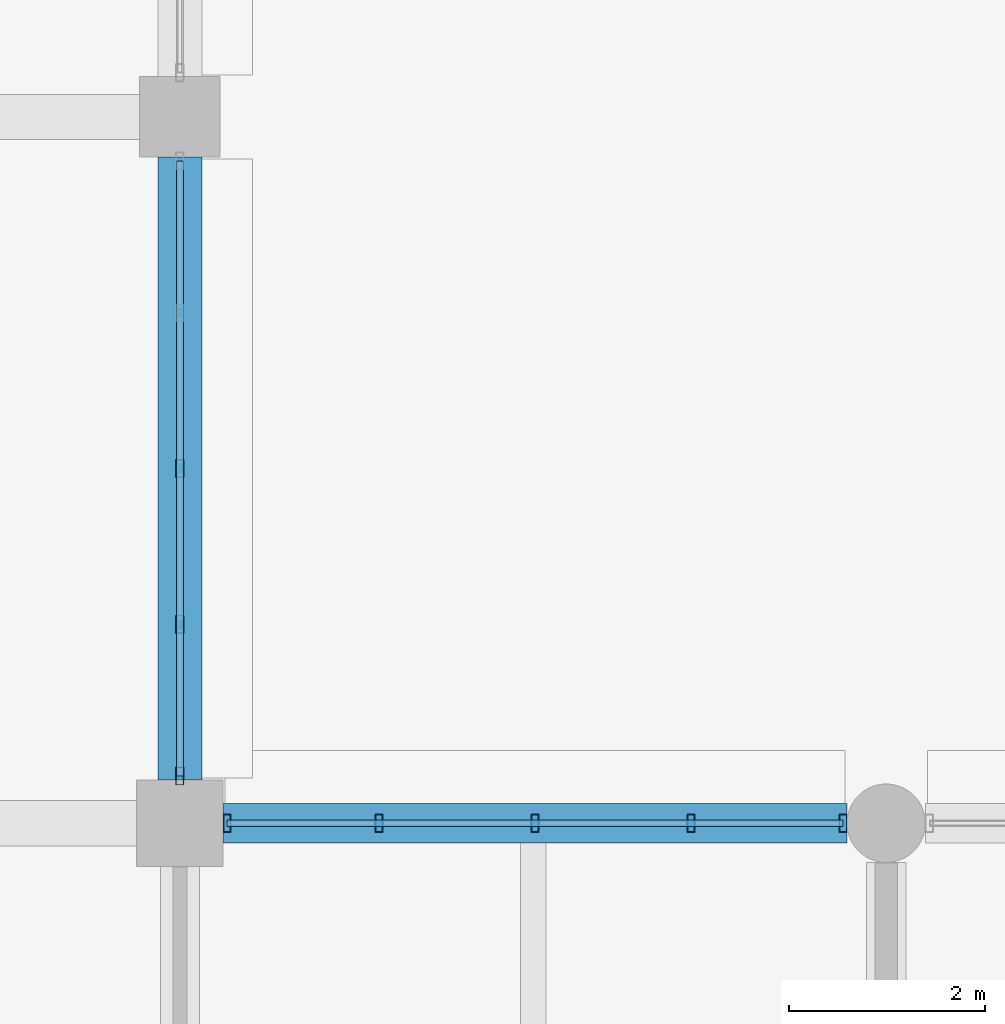
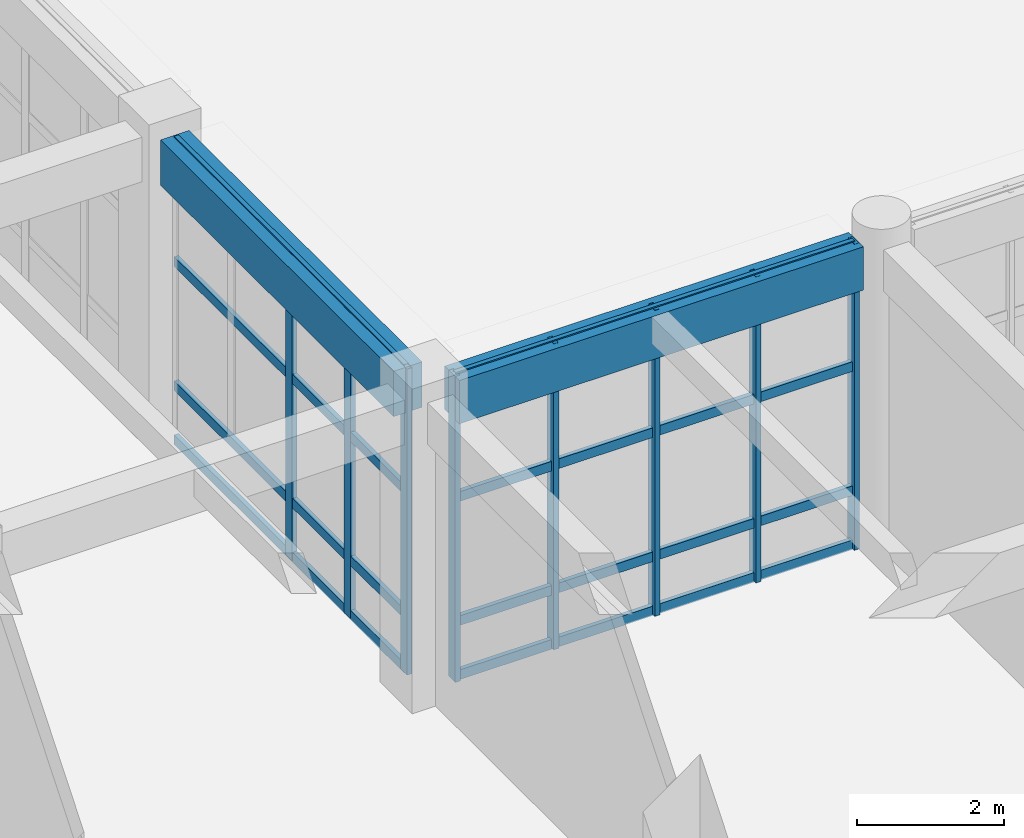
# One storey, part 46 of 160: 16 members, 2 beams, 2 elements without a shape of their own.
"""IFC4 building model written with IfcOpenShell, lengths in metres."""

from ifc_helpers import new_model, si_unit, direction, frame, origin, origin_2d, place, context, subcontext, project, spatial, rectangle, hollow_rectangle, extrude, material, material_profile, profile_set, type_object, element, aggregate, save


model = new_model("IFC4")

# Units and contexts
model_context = context("Model", 3, precision=1e-05, world=origin(), true_north=direction((0.0, 1.0)))
body_context = subcontext(model_context, "Body", "Model", "MODEL_VIEW")
ifc_project = project(units=[si_unit("LENGTHUNIT", "METRE"), si_unit("AREAUNIT", "SQUARE_METRE"), si_unit("VOLUMEUNIT", "CUBIC_METRE"), si_unit("PLANEANGLEUNIT", "RADIAN"), si_unit("MASSUNIT", "GRAM", prefix="KILO")], contexts=[model_context])

# Site, building, storey
site_placement = place(None, origin())
site = spatial("IfcSite", under=ifc_project, at=site_placement, CompositionType="ELEMENT")
building_placement = place(site_placement, origin())
building = spatial("IfcBuilding", under=site, at=building_placement, Name="Thalmaran Polytechnic", CompositionType="ELEMENT")
storey_placement = place(building_placement, origin())
storey = spatial("IfcBuildingStorey", under=building, at=storey_placement, Name="L00", CompositionType="ELEMENT", Elevation=0.0)

# Beams
ifc_material_1 = material(Name="Concrete C40/50", Category="concrete")
ifc_material_profile_1 = material_profile(ifc_material_1, rectangle(XDim=0.39990234375, YDim=0.719970703125, at=origin_2d()), Name="RC 400x720")
ifc_profile_set_1 = profile_set([ifc_material_profile_1], Name="Concrete C40/50")
beam_type_1 = type_object("IfcBeamType", Name="BM-SP01", PredefinedType="SPANDREL", material=ifc_profile_set_1)
beam_1_placement = place(storey_placement, frame((22.0400390625, 72.0, 4.72998046875), z_axis=(1.0, 0.0, 0.0), x_axis=(0.0, 1.0, 0.0)))
element("IfcBeam", 1, at=beam_1_placement, inside=storey, type_object=beam_type_1, Name="Grid Beam SP01 L00 X(3,10)", PredefinedType="SPANDREL", context=body_context, shape_type="SweptSolid", body=[
    extrude(rectangle(XDim=0.39990234375, YDim=0.719970703125, at=origin_2d()), origin(), (0.0, 0.0, 1.0), 6.35986328125),
])
ifc_material_profile_2 = material_profile(ifc_material_1, rectangle(XDim=0.449951171875, YDim=0.7548828125, at=origin_2d()), Name="RC 450x755")
ifc_profile_set_2 = profile_set([ifc_material_profile_2], Name="Concrete C40/50")
beam_type_2 = type_object("IfcBeamType", Name="BM-SP02", PredefinedType="SPANDREL", material=ifc_profile_set_2)
beam_2_placement = place(storey_placement, frame((21.60009765625, 72.43994140625, 4.71240234375), z_axis=(0.0, 1.0, 0.0), x_axis=(-1.0, 0.0, 0.0)))
element("IfcBeam", 2, at=beam_2_placement, inside=storey, type_object=beam_type_2, Name="Grid Beam SP02 L00 Y(3,10)", PredefinedType="SPANDREL", context=body_context, shape_type="SweptSolid", body=[
    extrude(rectangle(XDim=0.449951171875, YDim=0.7548828125, at=origin_2d()), origin(), (0.0, 0.0, 1.0), 6.35009765625),
])

# Curtain wall, members
ifc_material_2 = material(Name="Aluminium 6063-T6", Category="aluminium")
curtain_wall_type = type_object("IfcCurtainWallType", Name="CW-UC01", PredefinedType="USERDEFINED", material=ifc_material_2)
curtain_wall_1_placement = place(storey_placement, origin())
curtain_wall_1 = element("IfcCurtainWall", 3, at=curtain_wall_1_placement, inside=storey, type_object=curtain_wall_type, Name="Curtain Wall CW-L00-025", ObjectType="UNITISED CURTAIN WALL", PredefinedType="USERDEFINED")
ifc_material_profile_3 = material_profile(ifc_material_2, hollow_rectangle(XDim=0.080078125, YDim=0.179931640625, WallThickness=0.0048828125, at=origin_2d()), Name="RHS 180x80x5.0")
ifc_profile_set_3 = profile_set([ifc_material_profile_3], Name="Aluminium 6063-T6")
member_type_1 = type_object("IfcMemberType", Name="CW-MUL1", PredefinedType="MULLION", material=ifc_profile_set_3)
member_1_placement = place(storey_placement, frame((21.60009765625, 75.614990234375, 0.0), z_axis=(0.0, 0.0, 1.0), x_axis=(1.0, 0.0, 0.0)))
member_1 = element("IfcMember", 4, at=member_1_placement, type_object=member_type_1, Name="CW-L00-025 Mullion 3", PredefinedType="MULLION", context=body_context, shape_type="SweptSolid", body=[
    extrude(hollow_rectangle(XDim=0.080078125, YDim=0.179931640625, WallThickness=0.0048828125, at=origin_2d()), origin(), (0.0, 0.0, 1.0), 5.090087890625),
])
member_2_placement = place(storey_placement, frame((21.60009765625, 74.027587890625, 0.0), z_axis=(0.0, 0.0, 1.0), x_axis=(1.0, 0.0, 0.0)))
member_2 = element("IfcMember", 5, at=member_2_placement, type_object=member_type_1, Name="CW-L00-025 Mullion 4", PredefinedType="MULLION", context=body_context, shape_type="SweptSolid", body=[
    extrude(hollow_rectangle(XDim=0.080078125, YDim=0.179931640625, WallThickness=0.0048828125, at=origin_2d()), origin(), (0.0, 0.0, 1.0), 5.090087890625),
])
member_3_placement = place(storey_placement, frame((21.60009765625, 72.47998046875, 0.0), z_axis=(0.0, 0.0, 1.0), x_axis=(1.0, 0.0, 0.0)))
member_3 = element("IfcMember", 6, at=member_3_placement, type_object=member_type_1, Name="CW-L00-025 Mullion 5", PredefinedType="MULLION", context=body_context, shape_type="SweptSolid", body=[
    extrude(hollow_rectangle(XDim=0.080078125, YDim=0.179931640625, WallThickness=0.0048828125, at=origin_2d()), origin(), (0.0, 0.0, 1.0), 5.090087890625),
])

curtain_wall_2_placement = place(storey_placement, origin())
curtain_wall_2 = element("IfcCurtainWall", 7, at=curtain_wall_2_placement, inside=storey, type_object=curtain_wall_type, Name="Curtain Wall CW-L00-026", ObjectType="UNITISED CURTAIN WALL", PredefinedType="USERDEFINED")
member_4_placement = place(storey_placement, frame((22.080078125, 72.0, 0.0), z_axis=(0.0, 0.0, 1.0), x_axis=(1.0, 0.0, 0.0)))
member_4 = element("IfcMember", 8, at=member_4_placement, type_object=member_type_1, Name="CW-L00-026 Mullion 1", PredefinedType="MULLION", context=body_context, shape_type="SweptSolid", body=[
    extrude(hollow_rectangle(XDim=0.080078125, YDim=0.179931640625, WallThickness=0.0048828125, at=origin_2d()), origin(), (0.0, 0.0, 1.0), 5.090087890625),
])
member_5_placement = place(storey_placement, frame((23.6298828125, 72.0, 0.0), z_axis=(0.0, 0.0, 1.0), x_axis=(1.0, 0.0, 0.0)))
member_5 = element("IfcMember", 9, at=member_5_placement, type_object=member_type_1, Name="CW-L00-026 Mullion 2", PredefinedType="MULLION", context=body_context, shape_type="SweptSolid", body=[
    extrude(hollow_rectangle(XDim=0.080078125, YDim=0.179931640625, WallThickness=0.0048828125, at=origin_2d()), origin(), (0.0, 0.0, 1.0), 5.090087890625),
])
member_6_placement = place(storey_placement, frame((25.219970703125, 72.0, 0.0), z_axis=(0.0, 0.0, 1.0), x_axis=(1.0, 0.0, 0.0)))
member_6 = element("IfcMember", 10, at=member_6_placement, type_object=member_type_1, Name="CW-L00-026 Mullion 3", PredefinedType="MULLION", context=body_context, shape_type="SweptSolid", body=[
    extrude(hollow_rectangle(XDim=0.080078125, YDim=0.179931640625, WallThickness=0.0048828125, at=origin_2d()), origin(), (0.0, 0.0, 1.0), 5.090087890625),
])
member_7_placement = place(storey_placement, frame((26.81005859375, 72.0, 0.0), z_axis=(0.0, 0.0, 1.0), x_axis=(1.0, 0.0, 0.0)))
member_7 = element("IfcMember", 11, at=member_7_placement, type_object=member_type_1, Name="CW-L00-026 Mullion 4", PredefinedType="MULLION", context=body_context, shape_type="SweptSolid", body=[
    extrude(hollow_rectangle(XDim=0.080078125, YDim=0.179931640625, WallThickness=0.0048828125, at=origin_2d()), origin(), (0.0, 0.0, 1.0), 5.090087890625),
])
member_8_placement = place(storey_placement, frame((28.360107421875, 72.0, 0.0), z_axis=(0.0, 0.0, 1.0), x_axis=(1.0, 0.0, 0.0)))
member_8 = element("IfcMember", 12, at=member_8_placement, type_object=member_type_1, Name="CW-L00-026 Mullion 5", PredefinedType="MULLION", context=body_context, shape_type="SweptSolid", body=[
    extrude(hollow_rectangle(XDim=0.080078125, YDim=0.179931640625, WallThickness=0.0048828125, at=origin_2d()), origin(), (0.0, 0.0, 1.0), 5.090087890625),
])

# Member
ifc_material_profile_4 = material_profile(ifc_material_2, hollow_rectangle(XDim=0.070068359375, YDim=0.159912109375, WallThickness=0.00390625, at=origin_2d()), Name="AL 160x70x4.0")
ifc_profile_set_4 = profile_set([ifc_material_profile_4], Name="Aluminium 6063-T6")
member_type_2 = type_object("IfcMemberType", Name="CW-TRN1", PredefinedType="USERDEFINED", material=ifc_profile_set_4)
member_9_placement = place(storey_placement, frame((21.60009765625, 78.75, 0.06005859375), z_axis=(0.0, -1.0, 0.0), x_axis=(1.0, 0.0, 0.0)))
member_9 = element("IfcMember", 13, at=member_9_placement, type_object=member_type_2, Name="CW-L00-025 Transom 1", ObjectType="TRANSOM", PredefinedType="USERDEFINED", context=body_context, shape_type="SweptSolid", body=[
    extrude(hollow_rectangle(XDim=0.070068359375, YDim=0.159912109375, WallThickness=0.00390625, at=origin_2d()), origin(), (0.0, 0.0, 1.0), 6.27001953125),
])

member_10_placement = place(storey_placement, frame((21.60009765625, 78.75, 0.9599609375), z_axis=(0.0, -1.0, 0.0), x_axis=(1.0, 0.0, 0.0)))
member_10 = element("IfcMember", 14, at=member_10_placement, type_object=member_type_2, Name="CW-L00-025 Transom 2", ObjectType="TRANSOM", PredefinedType="USERDEFINED", context=body_context, shape_type="SweptSolid", body=[
    extrude(hollow_rectangle(XDim=0.070068359375, YDim=0.159912109375, WallThickness=0.00390625, at=origin_2d()), origin(), (0.0, 0.0, 1.0), 6.27001953125),
])

member_11_placement = place(storey_placement, frame((21.60009765625, 78.75, 3.02490234375), z_axis=(0.0, -1.0, 0.0), x_axis=(1.0, 0.0, 0.0)))
member_11 = element("IfcMember", 15, at=member_11_placement, type_object=member_type_2, Name="CW-L00-025 Transom 3", ObjectType="TRANSOM", PredefinedType="USERDEFINED", context=body_context, shape_type="SweptSolid", body=[
    extrude(hollow_rectangle(XDim=0.070068359375, YDim=0.159912109375, WallThickness=0.00390625, at=origin_2d()), origin(), (0.0, 0.0, 1.0), 6.27001953125),
])

member_12_placement = place(storey_placement, frame((21.60009765625, 78.75, 5.030029296875), z_axis=(0.0, -1.0, 0.0), x_axis=(1.0, 0.0, 0.0)))
member_12 = element("IfcMember", 16, at=member_12_placement, type_object=member_type_2, Name="CW-L00-025 Transom 4", ObjectType="TRANSOM", PredefinedType="USERDEFINED", context=body_context, shape_type="SweptSolid", body=[
    extrude(hollow_rectangle(XDim=0.070068359375, YDim=0.159912109375, WallThickness=0.00390625, at=origin_2d()), origin(), (0.0, 0.0, 1.0), 6.27001953125),
])

aggregate(curtain_wall_1, [member_1, member_2, member_3, member_9, member_10, member_11, member_12])

member_13_placement = place(storey_placement, frame((22.080078125, 72.0, 0.06005859375), z_axis=(1.0, 0.0, 0.0), x_axis=(0.0, 1.0, 0.0)))
member_13 = element("IfcMember", 17, at=member_13_placement, type_object=member_type_2, Name="CW-L00-026 Transom 1", ObjectType="TRANSOM", PredefinedType="USERDEFINED", context=body_context, shape_type="SweptSolid", body=[
    extrude(hollow_rectangle(XDim=0.070068359375, YDim=0.159912109375, WallThickness=0.00390625, at=origin_2d()), origin(), (0.0, 0.0, 1.0), 6.280029296875),
])

member_14_placement = place(storey_placement, frame((22.080078125, 72.0, 0.9599609375), z_axis=(1.0, 0.0, 0.0), x_axis=(0.0, 1.0, 0.0)))
member_14 = element("IfcMember", 18, at=member_14_placement, type_object=member_type_2, Name="CW-L00-026 Transom 2", ObjectType="TRANSOM", PredefinedType="USERDEFINED", context=body_context, shape_type="SweptSolid", body=[
    extrude(hollow_rectangle(XDim=0.070068359375, YDim=0.159912109375, WallThickness=0.00390625, at=origin_2d()), origin(), (0.0, 0.0, 1.0), 6.280029296875),
])

member_15_placement = place(storey_placement, frame((22.080078125, 72.0, 3.02490234375), z_axis=(1.0, 0.0, 0.0), x_axis=(0.0, 1.0, 0.0)))
member_15 = element("IfcMember", 19, at=member_15_placement, type_object=member_type_2, Name="CW-L00-026 Transom 3", ObjectType="TRANSOM", PredefinedType="USERDEFINED", context=body_context, shape_type="SweptSolid", body=[
    extrude(hollow_rectangle(XDim=0.070068359375, YDim=0.159912109375, WallThickness=0.00390625, at=origin_2d()), origin(), (0.0, 0.0, 1.0), 6.280029296875),
])

member_16_placement = place(storey_placement, frame((22.080078125, 72.0, 5.030029296875), z_axis=(1.0, 0.0, 0.0), x_axis=(0.0, 1.0, 0.0)))
member_16 = element("IfcMember", 20, at=member_16_placement, type_object=member_type_2, Name="CW-L00-026 Transom 4", ObjectType="TRANSOM", PredefinedType="USERDEFINED", context=body_context, shape_type="SweptSolid", body=[
    extrude(hollow_rectangle(XDim=0.070068359375, YDim=0.159912109375, WallThickness=0.00390625, at=origin_2d()), origin(), (0.0, 0.0, 1.0), 6.280029296875),
])

aggregate(curtain_wall_2, [member_4, member_5, member_6, member_7, member_8, member_13, member_14, member_15, member_16])

save(model, "model.ifc")
